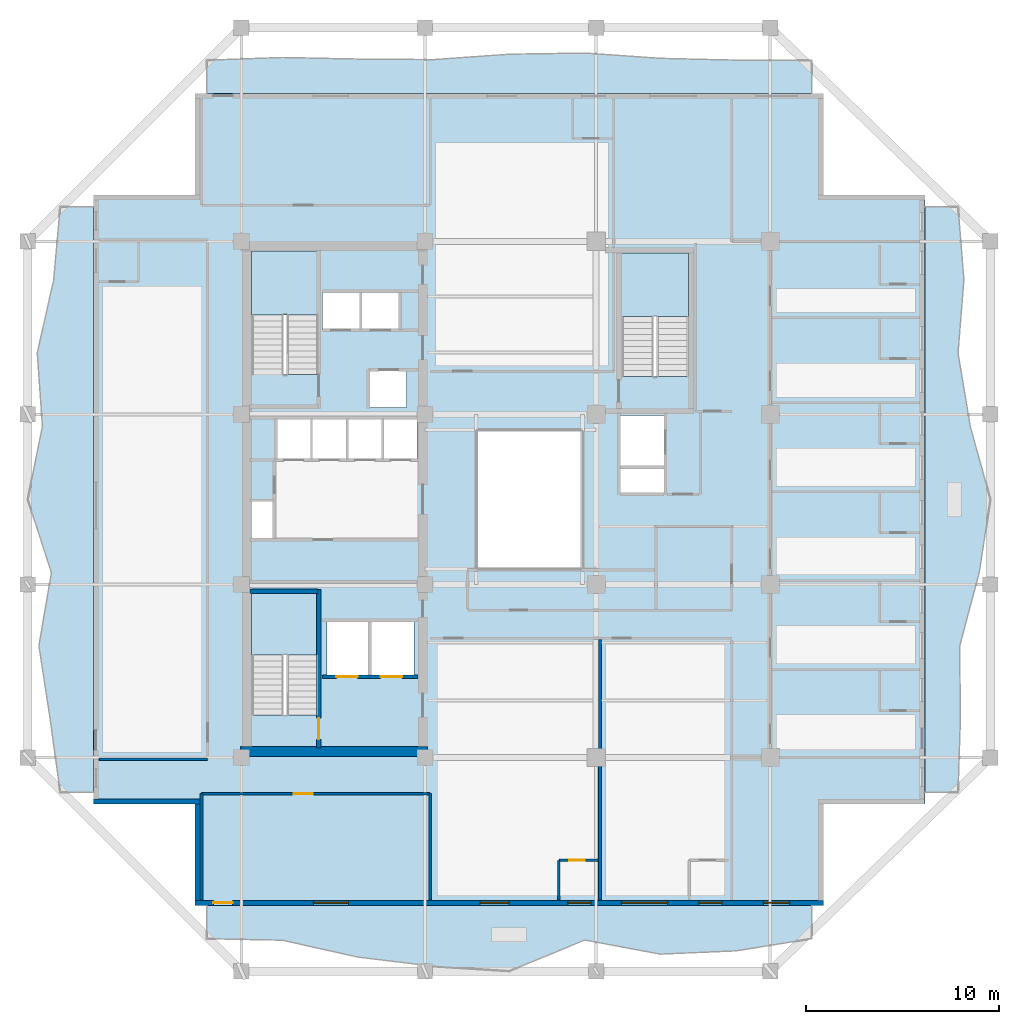
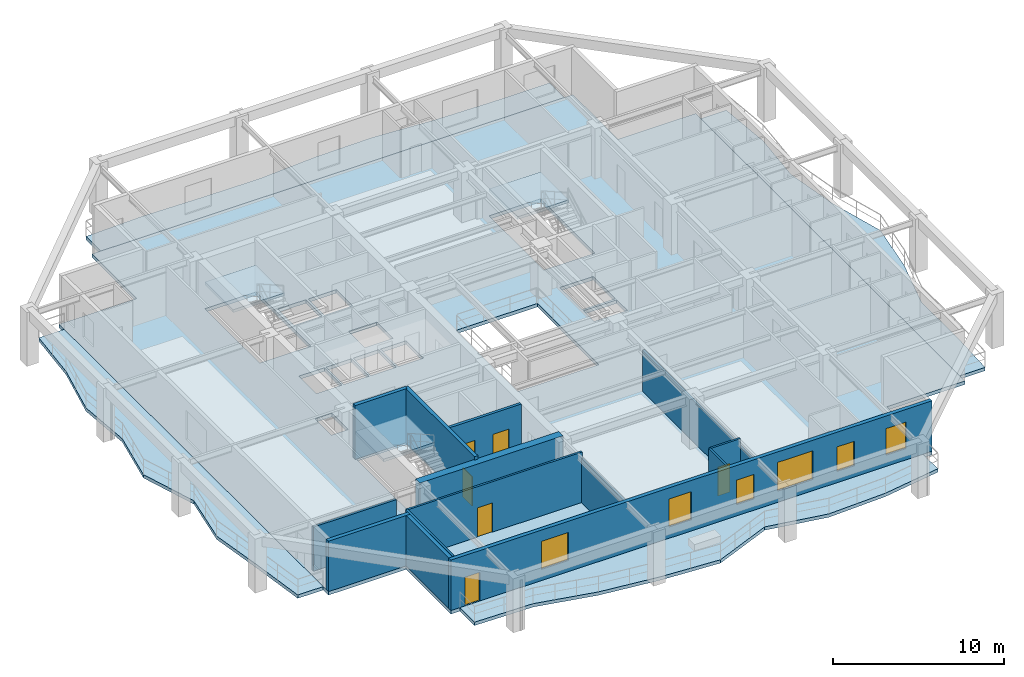
# One storey, part 2 of 13: 14 walls, 8 slabs, 6 doors, 6 windows, 12 openings, 3 elements without a shape of their own.
"""IFC4 building model written with IfcOpenShell, lengths in metres."""

from ifc_helpers import new_model, si_unit, direction, frame, frame_2d, origin, place, context, subcontext, project, spatial, polyline, rectangle, outline, extrude, material, layer, layer_set, type_object, element, fill, aggregate, save


model = new_model("IFC4")

# Units and contexts
model_context = context("Model", 3, precision=1e-05, world=origin(), true_north=direction((0.0, 1.0)))
body_context = subcontext(model_context, "Body", "Model", "MODEL_VIEW")
ifc_project = project(units=[si_unit("LENGTHUNIT", "METRE"), si_unit("AREAUNIT", "SQUARE_METRE"), si_unit("VOLUMEUNIT", "CUBIC_METRE"), si_unit("PLANEANGLEUNIT", "RADIAN"), si_unit("MASSUNIT", "GRAM", prefix="KILO")], contexts=[model_context])

# Site, building, storey
site_placement = place(None, origin())
site = spatial("IfcSite", under=ifc_project, at=site_placement, CompositionType="ELEMENT")
building_placement = place(site_placement, origin())
building = spatial("IfcBuilding", under=site, at=building_placement, Name="Kundavana Baori Tower", CompositionType="ELEMENT")
storey_placement = place(building_placement, frame((0.0, 0.0, 184.85009765625)))
storey = spatial("IfcBuildingStorey", under=building, at=storey_placement, Name="L45", CompositionType="ELEMENT", Elevation=184.85009765625)

# Slab
ifc_material_1 = material(Name="Concrete C40/50", Category="concrete")
ifc_layer_1 = layer(ifc_material_1, 0.25, Name="SLB-FLR-250")
ifc_layer_set_1 = layer_set([ifc_layer_1], Name="Concrete C40/50")
slab_type_1 = type_object("IfcSlabType", Name="SLB-FLR-250", PredefinedType="FLOOR", material=ifc_layer_set_1)
slab_1_placement = place(storey_placement, frame((0.0, 0.0, -0.25)))
element("IfcSlab", 1, at=slab_1_placement, inside=storey, type_object=slab_type_1, Name="L45 Structural Floor Slab", PredefinedType="FLOOR", context=body_context, shape_type="SweptSolid", body=[
    extrude(outline(polyline([(13.050048828125, 7.60009765625), (45.550048828125, 7.60009765625), (45.550048828125, 12.85009765625), (50.800048828125, 12.85009765625), (50.800048828125, 44.35009765625), (45.550048828125, 44.35009765625), (45.550048828125, 49.60009765625), (13.050048828125, 49.60009765625), (13.050048828125, 44.35009765625), (7.800048828125, 44.35009765625), (7.800048828125, 12.85009765625), (13.050048828125, 12.85009765625), (13.050048828125, 7.60009765625)]), holes=[polyline([(19.43994140625, 17.4619140625), (19.43994140625, 23.85009765625), (15.97998046875, 23.85009765625), (15.97998046875, 17.4619140625), (19.43994140625, 17.4619140625)]), polyline([(19.43994140625, 35.06201171875), (19.43994140625, 41.449951171875), (15.97998046875, 41.449951171875), (15.97998046875, 35.06201171875), (19.43994140625, 35.06201171875)]), polyline([(38.580078125, 34.9619140625), (38.580078125, 41.35009765625), (35.1201171875, 41.35009765625), (35.1201171875, 34.9619140625), (38.580078125, 34.9619140625)]), polyline([(17.300048828125, 30.699951171875), (19.02001953125, 30.699951171875), (19.02001953125, 32.75), (17.300048828125, 32.75), (17.300048828125, 30.699951171875)]), polyline([(19.139892578125, 30.699951171875), (20.860107421875, 30.699951171875), (20.860107421875, 32.75), (19.139892578125, 32.75), (19.139892578125, 30.699951171875)]), polyline([(20.97998046875, 30.699951171875), (22.699951171875, 30.699951171875), (22.699951171875, 32.75), (20.97998046875, 32.75), (20.97998046875, 30.699951171875)]), polyline([(22.820068359375, 30.699951171875), (24.5400390625, 30.699951171875), (24.5400390625, 32.75), (22.820068359375, 32.75), (22.820068359375, 30.699951171875)]), polyline([(19.64990234375, 37.39990234375), (21.550048828125, 37.39990234375), (21.550048828125, 39.300048828125), (19.64990234375, 39.300048828125), (19.64990234375, 37.39990234375)]), polyline([(21.699951171875, 37.39990234375), (23.60009765625, 37.39990234375), (23.60009765625, 39.300048828125), (21.699951171875, 39.300048828125), (21.699951171875, 37.39990234375)]), polyline([(22.10009765625, 33.35009765625), (24.0, 33.35009765625), (24.0, 35.25), (22.10009765625, 35.25), (22.10009765625, 33.35009765625)]), polyline([(19.8798828125, 19.5), (22.02001953125, 19.5), (22.02001953125, 22.25), (19.8798828125, 22.25), (19.8798828125, 19.5)]), polyline([(22.179931640625, 19.5), (24.3798828125, 19.5), (24.3798828125, 22.25), (22.179931640625, 22.25), (22.179931640625, 19.5)]), polyline([(35.050048828125, 30.35009765625), (37.300048828125, 30.35009765625), (37.300048828125, 32.949951171875), (35.050048828125, 32.949951171875), (35.050048828125, 30.35009765625)]), polyline([(15.949951171875, 26.60009765625), (17.080078125, 26.60009765625), (17.080078125, 28.5), (15.949951171875, 28.5), (15.949951171875, 26.60009765625)]), polyline([(35.050048828125, 28.949951171875), (37.300048828125, 28.949951171875), (37.300048828125, 30.199951171875), (35.050048828125, 30.199951171875), (35.050048828125, 28.949951171875)]), polyline([(27.60009765625, 25.0), (33.10009765625, 25.0), (33.10009765625, 32.199951171875), (27.60009765625, 32.199951171875), (27.60009765625, 25.0)])]), origin(), (0.0, 0.0, 1.0), 0.25),
])

# Stair, slab
ifc_material_2 = material(Name="Concrete C40/50", Category="concrete")
stair_type = type_object("IfcStairType", Name="STR-DOG-1650", PredefinedType="HALF_TURN_STAIR", material=ifc_material_2)
stair_1_placement = place(storey_placement, origin())
stair_1 = element("IfcStair", 2, at=stair_1_placement, inside=storey, type_object=stair_type, Name="L45 Protected Exit Stair ST1", PredefinedType="HALF_TURN_STAIR")
ifc_material_3 = material(Name="Concrete C40/50", Category="concrete")
ifc_layer_2 = layer(ifc_material_3, 0.199951171875, Name="SLB-LND-200")
ifc_layer_set_2 = layer_set([ifc_layer_2], Name="Concrete C40/50")
slab_type_2 = type_object("IfcSlabType", Name="SLB-LND-200", PredefinedType="LANDING", material=ifc_layer_set_2)
slab_2_placement = place(storey_placement, frame((0.0, 0.0, 1.724853515625)))
slab_2 = element("IfcSlab", 3, at=slab_2_placement, type_object=slab_type_2, Name="ST1 landing 1", PredefinedType="LANDING", context=body_context, shape_type="SweptSolid", body=[
    extrude(outline(polyline([(19.43994140625, 20.550048828125), (19.43994140625, 23.85009765625), (15.97998046875, 23.85009765625), (15.97998046875, 20.550048828125), (19.43994140625, 20.550048828125)])), origin(), (0.0, 0.0, 1.0), 0.199951171875),
])
aggregate(stair_1, [slab_2])

stair_2_placement = place(storey_placement, origin())
stair_2 = element("IfcStair", 4, at=stair_2_placement, inside=storey, type_object=stair_type, Name="L45 Protected Exit Stair ST2", PredefinedType="HALF_TURN_STAIR")
slab_3_placement = place(storey_placement, frame((0.0, 0.0, 1.724853515625)))
slab_3 = element("IfcSlab", 5, at=slab_3_placement, type_object=slab_type_2, Name="ST2 landing 1", PredefinedType="LANDING", context=body_context, shape_type="SweptSolid", body=[
    extrude(outline(polyline([(19.43994140625, 38.14990234375), (19.43994140625, 41.449951171875), (15.97998046875, 41.449951171875), (15.97998046875, 38.14990234375), (19.43994140625, 38.14990234375)])), origin(), (0.0, 0.0, 1.0), 0.199951171875),
])
aggregate(stair_2, [slab_3])

stair_3_placement = place(storey_placement, origin())
stair_3 = element("IfcStair", 6, at=stair_3_placement, inside=storey, type_object=stair_type, Name="L45 Protected Exit Stair ST3", PredefinedType="HALF_TURN_STAIR")
slab_4_placement = place(storey_placement, frame((0.0, 0.0, 1.724853515625)))
slab_4 = element("IfcSlab", 7, at=slab_4_placement, type_object=slab_type_2, Name="ST3 landing 1", PredefinedType="LANDING", context=body_context, shape_type="SweptSolid", body=[
    extrude(outline(polyline([(38.580078125, 38.050048828125), (38.580078125, 41.35009765625), (35.1201171875, 41.35009765625), (35.1201171875, 38.050048828125), (38.580078125, 38.050048828125)])), origin(), (0.0, 0.0, 1.0), 0.199951171875),
])
aggregate(stair_3, [slab_4])

# Slabs
ifc_material_4 = material(Name="Concrete C40/50", Category="concrete")
ifc_layer_3 = layer(ifc_material_4, 0.239990234375, Name="SLB-LOG-240")
ifc_layer_set_3 = layer_set([ifc_layer_3], Name="Concrete C40/50")
slab_type_3 = type_object("IfcSlabType", Name="SLB-LOG-240", PredefinedType="FLOOR", material=ifc_layer_set_3)
slab_5_placement = place(storey_placement, frame((0.0, 0.0, -0.239990234375)))
element("IfcSlab", 8, at=slab_5_placement, inside=storey, type_object=slab_type_3, Name="L45 Planted Loggia Balcony Slab S", PredefinedType="FLOOR", context=body_context, shape_type="SweptSolid", body=[
    extrude(outline(polyline([(13.64990234375, 7.60009765625), (44.949951171875, 7.60009765625), (44.949951171875, 5.8798828125), (41.0380859375, 5.25), (37.125, 5.080078125), (33.212890625, 5.81103515625), (29.300048828125, 4.199951171875), (25.387939453125, 4.450927734375), (21.47509765625, 4.929931640625), (17.56201171875, 5.802001953125), (13.64990234375, 5.8798828125), (13.64990234375, 7.60009765625)])), origin(), (0.0, 0.0, 1.0), 0.239990234375),
])
slab_6_placement = place(storey_placement, frame((0.0, 0.0, -0.239990234375)))
element("IfcSlab", 9, at=slab_6_placement, inside=storey, type_object=slab_type_3, Name="L45 Planted Loggia Balcony Slab E", PredefinedType="FLOOR", context=body_context, shape_type="SweptSolid", body=[
    extrude(outline(polyline([(50.800048828125, 13.449951171875), (50.800048828125, 43.75), (52.52001953125, 43.75), (52.824951171875, 39.9619140625), (52.52099609375, 36.175048828125), (53.152099609375, 32.387939453125), (54.199951171875, 28.60009765625), (53.616943359375, 24.81201171875), (52.60595703125, 21.02490234375), (52.64306640625, 17.238037109375), (52.52001953125, 13.449951171875), (50.800048828125, 13.449951171875)])), origin(), (0.0, 0.0, 1.0), 0.239990234375),
])
slab_7_placement = place(storey_placement, frame((0.0, 0.0, -0.239990234375)))
element("IfcSlab", 10, at=slab_7_placement, inside=storey, type_object=slab_type_3, Name="L45 Planted Loggia Balcony Slab N", PredefinedType="FLOOR", context=body_context, shape_type="SweptSolid", body=[
    extrude(outline(polyline([(44.949951171875, 49.60009765625), (13.64990234375, 49.60009765625), (13.64990234375, 51.320068359375), (17.56201171875, 51.4609375), (21.47509765625, 51.3798828125), (25.387939453125, 51.35107421875), (29.300048828125, 51.6298828125), (33.212890625, 51.69091796875), (37.125, 51.4169921875), (41.0380859375, 51.322998046875), (44.949951171875, 51.320068359375), (44.949951171875, 49.60009765625)])), origin(), (0.0, 0.0, 1.0), 0.239990234375),
])
slab_8_placement = place(storey_placement, frame((0.0, 0.0, -0.239990234375)))
element("IfcSlab", 11, at=slab_8_placement, inside=storey, type_object=slab_type_3, Name="L45 Planted Loggia Balcony Slab W", PredefinedType="FLOOR", context=body_context, shape_type="SweptSolid", body=[
    extrude(outline(polyline([(7.800048828125, 43.75), (7.800048828125, 13.449951171875), (6.080078125, 13.449951171875), (5.56005859375, 17.238037109375), (4.97802734375, 21.02490234375), (5.625, 24.81201171875), (4.39990234375, 28.60009765625), (5.159912109375, 32.387939453125), (4.89306640625, 36.175048828125), (5.741943359375, 39.9619140625), (6.080078125, 43.75), (7.800048828125, 43.75)])), origin(), (0.0, 0.0, 1.0), 0.239990234375),
])

# Wall, opening, door
ifc_material_5 = material(Name="Concrete C50/60", Category="concrete")
ifc_layer_4 = layer(ifc_material_5, 0.39990234375, Name="WL-CORE-400")
ifc_layer_set_4 = layer_set([ifc_layer_4], Name="Concrete C50/60")
wall_type_1 = type_object("IfcWallType", Name="WL-CORE-400", PredefinedType="SHEAR", material=ifc_layer_set_4)
wall_1_placement = place(storey_placement, frame((19.4599609375, 15.739990234375, 0.0), z_axis=(0.0, 0.0, 1.0), x_axis=(0.0, 1.0, 0.0)))
wall_1 = element("IfcWall", 12, at=wall_1_placement, inside=storey, type_object=wall_type_1, Name="WL-L45-ST1-E", PredefinedType="SHEAR", context=body_context, shape_type="SweptSolid", body=[
    extrude(rectangle(XDim=8.199951171875, YDim=0.239990234375, at=frame_2d((4.10009765625, 0.0))), origin(), (0.0, 0.0, 1.0), 3.849853515625),
])
opening_1_placement = place(wall_1_placement, frame((0.449951171875, 0.0, 0.0)))
opening_1 = element("IfcOpeningElement", 13, at=opening_1_placement, cuts=wall_1, Name="Opening FD-110", PredefinedType="OPENING", context=body_context, shape_type="SweptSolid", body=[
    extrude(rectangle(XDim=1.10009765625, YDim=2.10009765625, at=frame_2d((0.550048828125, 1.050048828125))), frame((0.0, 0.1298828125, 0.0), z_axis=(0.0, -1.0, 0.0), x_axis=(1.0, 0.0, 0.0)), (0.0, 0.0, 1.0), 0.260009765625),
])
ifc_material_6 = material(Name="Galvanised Steel Fire-Rated Door Leaf", Category="steel")
door_type_1 = type_object("IfcDoorType", Name="DR-FD120-1100", OperationType="NOTDEFINED", PredefinedType="DOOR", material=ifc_material_6)
door_1_placement = place(opening_1_placement, origin())
door_1 = element("IfcDoor", 14, at=door_1_placement, inside=storey, type_object=door_type_1, Name="DR-L45-ST1", OperationType="SINGLE_SWING_LEFT", OverallHeight=2.10009765625, OverallWidth=1.10009765625, PredefinedType="DOOR", context=body_context, shape_type="SweptSolid", body=[
    extrude(rectangle(XDim=1.10009765625, YDim=2.10009765625, at=frame_2d((0.550048828125, 1.050048828125))), frame((0.0, 0.02490234375, 0.0), z_axis=(0.0, -1.0, 0.0), x_axis=(1.0, 0.0, 0.0)), (0.0, 0.0, 1.0), 0.050048828125),
])
fill(opening_1, door_1)

# Walls
wall_2_placement = place(storey_placement, frame((15.89990234375, 23.860107421875, 0.0), z_axis=(0.0, 0.0, 1.0), x_axis=(1.0, 0.0, 0.0)))
element("IfcWall", 15, at=wall_2_placement, inside=storey, type_object=wall_type_1, Name="WL-L45-ST1-N", PredefinedType="SHEAR", context=body_context, shape_type="SweptSolid", body=[
    extrude(rectangle(XDim=3.52001953125, YDim=0.239990234375, at=frame_2d((1.760009765625, 0.0))), origin(), (0.0, 0.0, 1.0), 3.849853515625),
])
ifc_material_7 = material(Name="Concrete C50/60", Category="concrete")
ifc_layer_5 = layer(ifc_material_7, 0.5, Name="WL-CORE-500")
ifc_layer_set_5 = layer_set([ifc_layer_5], Name="Concrete C50/60")
wall_type_2 = type_object("IfcWallType", Name="WL-CORE-500", PredefinedType="SHEAR", material=ifc_layer_set_5)
wall_3_placement = place(storey_placement, frame((15.39990234375, 15.56005859375, 0.0), z_axis=(0.0, 0.0, 1.0), x_axis=(1.0, 0.0, 0.0)))
element("IfcWall", 16, at=wall_3_placement, inside=storey, type_object=wall_type_2, Name="L45 Offset Core South Shear Wall", PredefinedType="SHEAR", context=body_context, shape_type="SweptSolid", body=[
    extrude(rectangle(XDim=9.68017578125, YDim=0.5, at=frame_2d((4.840087890625, 0.0))), origin(), (0.0, 0.0, 1.0), 3.599853515625),
])

# Wall, openings, door, windows
ifc_material_8 = material(Name="Kiln-Fired Terracotta Brick-Slip Masonry on Concrete C40/50", Category="masonry")
ifc_layer_6 = layer(ifc_material_8, 0.260009765625, Name="WL-EXT-BRK-260")
ifc_layer_set_6 = layer_set([ifc_layer_6], Name="Kiln-Fired Terracotta Brick-Slip Masonry on Concrete C40/50")
wall_type_3 = type_object("IfcWallType", Name="WL-EXT-BRK-260", PredefinedType="SOLIDWALL", material=ifc_layer_set_6)
wall_4_placement = place(storey_placement, frame((13.050048828125, 7.72998046875, 0.0), z_axis=(0.0, 0.0, 1.0), x_axis=(1.0, 0.0, 0.0)))
wall_4 = element("IfcWall", 17, at=wall_4_placement, inside=storey, type_object=wall_type_3, Name="L45 Exterior Insulated Facade Wall 01", PredefinedType="SOLIDWALL", context=body_context, shape_type="SweptSolid", body=[
    extrude(rectangle(XDim=32.5, YDim=0.260009765625, at=frame_2d((16.25, 0.0))), origin(), (0.0, 0.0, 1.0), 3.599853515625),
])
opening_2_placement = place(wall_4_placement, frame((0.949951171875, 0.0, 0.0)))
opening_2 = element("IfcOpeningElement", 18, at=opening_2_placement, cuts=wall_4, Name="Opening BD-1", PredefinedType="OPENING", context=body_context, shape_type="SweptSolid", body=[
    extrude(rectangle(XDim=1.0, YDim=2.050048828125, at=frame_2d((0.5, 1.02490234375))), frame((0.0, 0.14013671875, 0.0), z_axis=(0.0, -1.0, 0.0), x_axis=(1.0, 0.0, 0.0)), (0.0, 0.0, 1.0), 0.280029296875),
])
opening_3_placement = place(wall_4_placement, frame((6.1298828125, 0.0, 0.800048828125)))
opening_3 = element("IfcOpeningElement", 19, at=opening_3_placement, cuts=wall_4, Name="Opening W-01", PredefinedType="OPENING", context=body_context, shape_type="SweptSolid", body=[
    extrude(rectangle(XDim=1.800048828125, YDim=2.0, at=frame_2d((0.89990234375, 1.0))), frame((0.0, 0.14013671875, 0.0), z_axis=(0.0, -1.0, 0.0), x_axis=(1.0, 0.0, 0.0)), (0.0, 0.0, 1.0), 0.280029296875),
])
opening_4_placement = place(wall_4_placement, frame((14.7451171875, 0.0, 0.800048828125)))
opening_4 = element("IfcOpeningElement", 20, at=opening_4_placement, cuts=wall_4, Name="Opening W-02", PredefinedType="OPENING", context=body_context, shape_type="SweptSolid", body=[
    extrude(rectangle(XDim=1.5, YDim=2.0, at=frame_2d((0.75, 1.0))), frame((0.0, 0.14013671875, 0.0), z_axis=(0.0, -1.0, 0.0), x_axis=(1.0, 0.0, 0.0)), (0.0, 0.0, 1.0), 0.280029296875),
])
opening_5_placement = place(wall_4_placement, frame((19.284912109375, 0.0, 0.800048828125)))
opening_5 = element("IfcOpeningElement", 21, at=opening_5_placement, cuts=wall_4, Name="Opening W-03", PredefinedType="OPENING", context=body_context, shape_type="SweptSolid", body=[
    extrude(rectangle(XDim=1.199951171875, YDim=1.75, at=frame_2d((0.60009765625, 0.875))), frame((0.0, 0.14013671875, 0.0), z_axis=(0.0, -1.0, 0.0), x_axis=(1.0, 0.0, 0.0)), (0.0, 0.0, 1.0), 0.280029296875),
])
opening_6_placement = place(wall_4_placement, frame((22.054931640625, 0.0, 0.800048828125)))
opening_6 = element("IfcOpeningElement", 22, at=opening_6_placement, cuts=wall_4, Name="Opening W-04", PredefinedType="OPENING", context=body_context, shape_type="SweptSolid", body=[
    extrude(rectangle(XDim=2.39990234375, YDim=2.050048828125, at=frame_2d((1.199951171875, 1.02490234375))), frame((0.0, 0.14013671875, 0.0), z_axis=(0.0, -1.0, 0.0), x_axis=(1.0, 0.0, 0.0)), (0.0, 0.0, 1.0), 0.280029296875),
])
opening_7_placement = place(wall_4_placement, frame((26.06494140625, 0.0, 0.800048828125)))
opening_7 = element("IfcOpeningElement", 23, at=opening_7_placement, cuts=wall_4, Name="Opening W-03", PredefinedType="OPENING", context=body_context, shape_type="SweptSolid", body=[
    extrude(rectangle(XDim=1.199951171875, YDim=1.75, at=frame_2d((0.60009765625, 0.875))), frame((0.0, 0.14013671875, 0.0), z_axis=(0.0, -1.0, 0.0), x_axis=(1.0, 0.0, 0.0)), (0.0, 0.0, 1.0), 0.280029296875),
])
opening_8_placement = place(wall_4_placement, frame((29.405029296875, 0.0, 0.800048828125)))
opening_8 = element("IfcOpeningElement", 24, at=opening_8_placement, cuts=wall_4, Name="Opening W-07", PredefinedType="OPENING", context=body_context, shape_type="SweptSolid", body=[
    extrude(rectangle(XDim=1.35009765625, YDim=1.89990234375, at=frame_2d((0.675048828125, 0.949951171875))), frame((0.0, 0.14013671875, 0.0), z_axis=(0.0, -1.0, 0.0), x_axis=(1.0, 0.0, 0.0)), (0.0, 0.0, 1.0), 0.280029296875),
])
ifc_material_9 = material(Name="Architectural Patinated Bronze Metalwork")
door_type_2 = type_object("IfcDoorType", Name="DR-EXT-LOG-1000", OperationType="NOTDEFINED", PredefinedType="DOOR", material=ifc_material_9)
door_2_placement = place(opening_2_placement, frame((1.0, 0.0, 0.0), z_axis=(0.0, 0.0, 1.0), x_axis=(-1.0, 0.0, 0.0)))
door_2 = element("IfcDoor", 25, at=door_2_placement, inside=storey, type_object=door_type_2, Name="L45 Loggia Balcony Access Door S", OperationType="SINGLE_SWING_LEFT", OverallHeight=2.050048828125, OverallWidth=1.0, PredefinedType="DOOR", context=body_context, shape_type="SweptSolid", body=[
    extrude(rectangle(XDim=1.0, YDim=2.050048828125, at=frame_2d((0.5, 1.02490234375))), frame((0.0, 0.02490234375, 0.0), z_axis=(0.0, -1.0, 0.0), x_axis=(1.0, 0.0, 0.0)), (0.0, 0.0, 1.0), 0.050048828125),
])
fill(opening_2, door_2)
ifc_material_10 = material(Name="Double-Glazed Solar-Control Low-E Insulated Glass", Category="glass")
window_type_1 = type_object("IfcWindowType", Name="WIN-LOG-1200x1750", PartitioningType="SINGLE_PANEL", PredefinedType="WINDOW", material=ifc_material_10)
window_1_placement = place(opening_5_placement, origin())
window_1 = element("IfcWindow", 26, at=window_1_placement, inside=storey, type_object=window_type_1, Name="L45 Recessed Loggia Window S-3", OverallHeight=1.75, OverallWidth=1.199951171875, PartitioningType="SINGLE_PANEL", PredefinedType="WINDOW", context=body_context, shape_type="SweptSolid", body=[
    extrude(rectangle(XDim=1.199951171875, YDim=1.75, at=frame_2d((0.60009765625, 0.875))), frame((0.0, 0.030029296875, 0.0), z_axis=(0.0, -1.0, 0.0), x_axis=(1.0, 0.0, 0.0)), (0.0, 0.0, 1.0), 0.06005859375),
])
fill(opening_5, window_1)
window_2_placement = place(opening_7_placement, origin())
window_2 = element("IfcWindow", 27, at=window_2_placement, inside=storey, type_object=window_type_1, Name="L45 Recessed Loggia Window S-5", OverallHeight=1.75, OverallWidth=1.199951171875, PartitioningType="SINGLE_PANEL", PredefinedType="WINDOW", context=body_context, shape_type="SweptSolid", body=[
    extrude(rectangle(XDim=1.199951171875, YDim=1.75, at=frame_2d((0.60009765625, 0.875))), frame((0.0, 0.030029296875, 0.0), z_axis=(0.0, -1.0, 0.0), x_axis=(1.0, 0.0, 0.0)), (0.0, 0.0, 1.0), 0.06005859375),
])
fill(opening_7, window_2)
ifc_material_11 = material(Name="Double-Glazed Solar-Control Low-E Insulated Glass", Category="glass")
window_type_2 = type_object("IfcWindowType", Name="WIN-LOG-1350x1900", PartitioningType="SINGLE_PANEL", PredefinedType="WINDOW", material=ifc_material_11)
window_3_placement = place(opening_8_placement, origin())
window_3 = element("IfcWindow", 28, at=window_3_placement, inside=storey, type_object=window_type_2, Name="L45 Recessed Loggia Window S-6", OverallHeight=1.89990234375, OverallWidth=1.35009765625, PartitioningType="SINGLE_PANEL", PredefinedType="WINDOW", context=body_context, shape_type="SweptSolid", body=[
    extrude(rectangle(XDim=1.35009765625, YDim=1.89990234375, at=frame_2d((0.675048828125, 0.949951171875))), frame((0.0, 0.030029296875, 0.0), z_axis=(0.0, -1.0, 0.0), x_axis=(1.0, 0.0, 0.0)), (0.0, 0.0, 1.0), 0.06005859375),
])
fill(opening_8, window_3)
ifc_material_12 = material(Name="Double-Glazed Solar-Control Low-E Insulated Glass", Category="glass")
window_type_3 = type_object("IfcWindowType", Name="WIN-LOG-1500x2000", PartitioningType="SINGLE_PANEL", PredefinedType="WINDOW", material=ifc_material_12)
window_4_placement = place(opening_4_placement, origin())
window_4 = element("IfcWindow", 29, at=window_4_placement, inside=storey, type_object=window_type_3, Name="L45 Recessed Loggia Window S-2", OverallHeight=2.0, OverallWidth=1.5, PartitioningType="SINGLE_PANEL", PredefinedType="WINDOW", context=body_context, shape_type="SweptSolid", body=[
    extrude(rectangle(XDim=1.5, YDim=2.0, at=frame_2d((0.75, 1.0))), frame((0.0, 0.030029296875, 0.0), z_axis=(0.0, -1.0, 0.0), x_axis=(1.0, 0.0, 0.0)), (0.0, 0.0, 1.0), 0.06005859375),
])
fill(opening_4, window_4)
ifc_material_13 = material(Name="Double-Glazed Solar-Control Low-E Insulated Glass", Category="glass")
window_type_4 = type_object("IfcWindowType", Name="WIN-LOG-1800x2000", PartitioningType="SINGLE_PANEL", PredefinedType="WINDOW", material=ifc_material_13)
window_5_placement = place(opening_3_placement, origin())
window_5 = element("IfcWindow", 30, at=window_5_placement, inside=storey, type_object=window_type_4, Name="L45 Recessed Loggia Window S-1", OverallHeight=2.0, OverallWidth=1.800048828125, PartitioningType="SINGLE_PANEL", PredefinedType="WINDOW", context=body_context, shape_type="SweptSolid", body=[
    extrude(rectangle(XDim=1.800048828125, YDim=2.0, at=frame_2d((0.89990234375, 1.0))), frame((0.0, 0.030029296875, 0.0), z_axis=(0.0, -1.0, 0.0), x_axis=(1.0, 0.0, 0.0)), (0.0, 0.0, 1.0), 0.06005859375),
])
fill(opening_3, window_5)
ifc_material_14 = material(Name="Double-Glazed Solar-Control Low-E Insulated Glass", Category="glass")
window_type_5 = type_object("IfcWindowType", Name="WIN-LOG-2400x2050", PartitioningType="SINGLE_PANEL", PredefinedType="WINDOW", material=ifc_material_14)
window_6_placement = place(opening_6_placement, origin())
window_6 = element("IfcWindow", 31, at=window_6_placement, inside=storey, type_object=window_type_5, Name="L45 Recessed Loggia Window S-4", OverallHeight=2.050048828125, OverallWidth=2.39990234375, PartitioningType="SINGLE_PANEL", PredefinedType="WINDOW", context=body_context, shape_type="SweptSolid", body=[
    extrude(rectangle(XDim=2.39990234375, YDim=2.050048828125, at=frame_2d((1.199951171875, 1.02490234375))), frame((0.0, 0.030029296875, 0.0), z_axis=(0.0, -1.0, 0.0), x_axis=(1.0, 0.0, 0.0)), (0.0, 0.0, 1.0), 0.06005859375),
])
fill(opening_6, window_6)

# Walls
wall_5_placement = place(storey_placement, frame((7.800048828125, 12.97998046875, 0.0), z_axis=(0.0, 0.0, 1.0), x_axis=(1.0, 0.0, 0.0)))
element("IfcWall", 32, at=wall_5_placement, inside=storey, type_object=wall_type_3, Name="L45 Exterior Insulated Facade Wall 11", PredefinedType="SOLIDWALL", context=body_context, shape_type="SweptSolid", body=[
    extrude(rectangle(XDim=5.510009765625, YDim=0.260009765625, at=frame_2d((2.7548828125, 0.0))), origin(), (0.0, 0.0, 1.0), 3.599853515625),
])
wall_6_placement = place(storey_placement, frame((13.179931640625, 12.85009765625, 0.0), z_axis=(0.0, 0.0, 1.0), x_axis=(0.0, -1.0, 0.0)))
element("IfcWall", 33, at=wall_6_placement, inside=storey, type_object=wall_type_3, Name="L45 Exterior Insulated Facade Wall 12", PredefinedType="SOLIDWALL", context=body_context, shape_type="SweptSolid", body=[
    extrude(rectangle(XDim=4.989990234375, YDim=0.260009765625, at=frame_2d((2.4951171875, 0.0))), origin(), (0.0, 0.0, 1.0), 3.599853515625),
])
ifc_material_15 = material(Name="Acoustic Gypsum Plasterboard on Galvanised Steel Studs", Category="steel")
ifc_layer_7 = layer(ifc_material_15, 0.135009765625, Name="WL-PART-135")
ifc_layer_set_7 = layer_set([ifc_layer_7], Name="Acoustic Gypsum Plasterboard on Galvanised Steel Studs")
wall_type_4 = type_object("IfcWallType", Name="WL-PART-135", PredefinedType="PARTITIONING", material=ifc_layer_set_7)
wall_7_placement = place(storey_placement, frame((8.080078125, 15.159912109375, 0.0), z_axis=(0.0, 0.0, 1.0), x_axis=(1.0, 0.0, 0.0)))
element("IfcWall", 34, at=wall_7_placement, inside=storey, type_object=wall_type_4, Name="WL-L45-HWS", PredefinedType="PARTITIONING", context=body_context, shape_type="SweptSolid", body=[
    extrude(rectangle(XDim=5.619873046875, YDim=0.135009765625, at=frame_2d((2.81005859375, 0.0))), origin(), (0.0, 0.0, 1.0), 3.14990234375),
])

# Wall, opening, door
wall_8_placement = place(storey_placement, frame((13.389892578125, 13.3798828125, 0.0), z_axis=(0.0, 0.0, 1.0), x_axis=(1.0, 0.0, 0.0)))
wall_8 = element("IfcWall", 35, at=wall_8_placement, inside=storey, type_object=wall_type_4, Name="WL-L45-HSC", PredefinedType="PARTITIONING", context=body_context, shape_type="SweptSolid", body=[
    extrude(rectangle(XDim=11.830078125, YDim=0.135009765625, at=frame_2d((5.9150390625, 0.0))), origin(), (0.0, 0.0, 1.0), 3.599853515625),
])
opening_9_placement = place(wall_8_placement, frame((4.760009765625, 0.0, 0.0)))
opening_9 = element("IfcOpeningElement", 36, at=opening_9_placement, cuts=wall_8, Name="Opening ID-100", PredefinedType="OPENING", context=body_context, shape_type="SweptSolid", body=[
    extrude(rectangle(XDim=1.0, YDim=2.080078125, at=frame_2d((0.5, 1.0400390625))), frame((0.0, 0.07763671875, 0.0), z_axis=(0.0, -1.0, 0.0), x_axis=(1.0, 0.0, 0.0)), (0.0, 0.0, 1.0), 0.155029296875),
])
ifc_material_16 = material(Name="Engineered Teak Solid-Core Timber Veneer", Category="wood")
door_type_3 = type_object("IfcDoorType", Name="DR-INT-1000", OperationType="NOTDEFINED", PredefinedType="DOOR", material=ifc_material_16)
door_3_placement = place(opening_9_placement, frame((1.0, 0.0, 0.0), z_axis=(0.0, 0.0, 1.0), x_axis=(-1.0, 0.0, 0.0)))
door_3 = element("IfcDoor", 37, at=door_3_placement, inside=storey, type_object=door_type_3, Name="DR-L45-HMSW", OperationType="SINGLE_SWING_LEFT", OverallHeight=2.080078125, OverallWidth=1.0, PredefinedType="DOOR", context=body_context, shape_type="SweptSolid", body=[
    extrude(rectangle(XDim=1.0, YDim=2.080078125, at=frame_2d((0.5, 1.0400390625))), frame((0.0, 0.02490234375, 0.0), z_axis=(0.0, -1.0, 0.0), x_axis=(1.0, 0.0, 0.0)), (0.0, 0.0, 1.0), 0.050048828125),
])
fill(opening_9, door_3)

# Walls
wall_9_placement = place(storey_placement, frame((13.389892578125, 7.8798828125, 0.0), z_axis=(0.0, 0.0, 1.0), x_axis=(0.0, 1.0, 0.0)))
element("IfcWall", 38, at=wall_9_placement, inside=storey, type_object=wall_type_4, Name="WL-L45-HSCW", PredefinedType="PARTITIONING", context=body_context, shape_type="SweptSolid", body=[
    extrude(rectangle(XDim=5.5, YDim=0.135009765625, at=frame_2d((2.75, 0.0))), origin(), (0.0, 0.0, 1.0), 3.599853515625),
])
wall_10_placement = place(storey_placement, frame((25.219970703125, 7.8798828125, 0.0), z_axis=(0.0, 0.0, 1.0), x_axis=(0.0, 1.0, 0.0)))
element("IfcWall", 39, at=wall_10_placement, inside=storey, type_object=wall_type_4, Name="WL-L45-HSCE", PredefinedType="PARTITIONING", context=body_context, shape_type="SweptSolid", body=[
    extrude(rectangle(XDim=5.5, YDim=0.135009765625, at=frame_2d((2.75, 0.0))), origin(), (0.0, 0.0, 1.0), 3.14990234375),
])
wall_11_placement = place(storey_placement, frame((34.0, 7.8798828125, 0.0), z_axis=(0.0, 0.0, 1.0), x_axis=(0.0, 1.0, 0.0)))
element("IfcWall", 40, at=wall_11_placement, inside=storey, type_object=wall_type_4, Name="WL-L45-HSD1", PredefinedType="PARTITIONING", context=body_context, shape_type="SweptSolid", body=[
    extrude(rectangle(XDim=13.480224609375, YDim=0.135009765625, at=frame_2d((6.740234375, 0.0))), origin(), (0.0, 0.0, 1.0), 2.949951171875),
])

# Wall, openings, doors
ifc_material_17 = material(Name="Autoclaved Aerated Concrete Blockwork Masonry", Category="masonry")
ifc_layer_8 = layer(ifc_material_17, 0.179931640625, Name="WL-SHAFT-180")
ifc_layer_set_8 = layer_set([ifc_layer_8], Name="Autoclaved Aerated Concrete Blockwork Masonry")
wall_type_5 = type_object("IfcWallType", Name="WL-SHAFT-180", PredefinedType="SOLIDWALL", material=ifc_layer_set_8)
wall_12_placement = place(storey_placement, frame((19.639892578125, 19.419921875, 0.0), z_axis=(0.0, 0.0, 1.0), x_axis=(1.0, 0.0, 0.0)))
wall_12 = element("IfcWall", 41, at=wall_12_placement, inside=storey, type_object=wall_type_5, Name="WL-L45-FFL-S", PredefinedType="SOLIDWALL", context=body_context, shape_type="SweptSolid", body=[
    extrude(rectangle(XDim=4.940185546875, YDim=0.179931640625, at=frame_2d((2.47021484375, 0.0))), origin(), (0.0, 0.0, 1.0), 3.599853515625),
])
opening_10_placement = place(wall_12_placement, frame((0.719970703125, 0.0, 0.0)))
opening_10 = element("IfcOpeningElement", 42, at=opening_10_placement, cuts=wall_12, Name="Opening LD-110", PredefinedType="OPENING", context=body_context, shape_type="SweptSolid", body=[
    extrude(rectangle(XDim=1.10009765625, YDim=2.10009765625, at=frame_2d((0.550048828125, 1.050048828125))), frame((0.0, 0.10009765625, 0.0), z_axis=(0.0, -1.0, 0.0), x_axis=(1.0, 0.0, 0.0)), (0.0, 0.0, 1.0), 0.199951171875),
])
opening_11_placement = place(wall_12_placement, frame((3.02001953125, 0.0, 0.0)))
opening_11 = element("IfcOpeningElement", 43, at=opening_11_placement, cuts=wall_12, Name="Opening LD-110", PredefinedType="OPENING", context=body_context, shape_type="SweptSolid", body=[
    extrude(rectangle(XDim=1.10009765625, YDim=2.10009765625, at=frame_2d((0.550048828125, 1.050048828125))), frame((0.0, 0.10009765625, 0.0), z_axis=(0.0, -1.0, 0.0), x_axis=(1.0, 0.0, 0.0)), (0.0, 0.0, 1.0), 0.199951171875),
])
ifc_material_18 = material(Name="Galvanised Steel Fire-Rated Door Leaf", Category="steel")
door_type_4 = type_object("IfcDoorType", Name="DR-SLIDE-LD1100", OperationType="NOTDEFINED", PredefinedType="DOOR", material=ifc_material_18)
door_4_placement = place(opening_10_placement, origin())
door_4 = element("IfcDoor", 44, at=door_4_placement, inside=storey, type_object=door_type_4, Name="DR-L45-LD-FFL-1", OperationType="DOUBLE_DOOR_SLIDING", OverallHeight=2.10009765625, OverallWidth=1.10009765625, PredefinedType="DOOR", context=body_context, shape_type="SweptSolid", body=[
    extrude(rectangle(XDim=1.10009765625, YDim=2.10009765625, at=frame_2d((0.550048828125, 1.050048828125))), frame((0.0, 0.02490234375, 0.0), z_axis=(0.0, -1.0, 0.0), x_axis=(1.0, 0.0, 0.0)), (0.0, 0.0, 1.0), 0.050048828125),
])
fill(opening_10, door_4)
door_5_placement = place(opening_11_placement, origin())
door_5 = element("IfcDoor", 45, at=door_5_placement, inside=storey, type_object=door_type_4, Name="DR-L45-LD-FFL-2", OperationType="DOUBLE_DOOR_SLIDING", OverallHeight=2.10009765625, OverallWidth=1.10009765625, PredefinedType="DOOR", context=body_context, shape_type="SweptSolid", body=[
    extrude(rectangle(XDim=1.10009765625, YDim=2.10009765625, at=frame_2d((0.550048828125, 1.050048828125))), frame((0.0, 0.02490234375, 0.0), z_axis=(0.0, -1.0, 0.0), x_axis=(1.0, 0.0, 0.0)), (0.0, 0.0, 1.0), 0.050048828125),
])
fill(opening_11, door_5)

# Wall
ifc_material_19 = material(Name="Autoclaved Aerated Concrete Blockwork Masonry", Category="masonry")
ifc_layer_9 = layer(ifc_material_19, 0.125, Name="WL-WET-120")
ifc_layer_set_9 = layer_set([ifc_layer_9], Name="Autoclaved Aerated Concrete Blockwork Masonry")
wall_type_6 = type_object("IfcWallType", Name="WL-WET-120", PredefinedType="PLUMBINGWALL", material=ifc_layer_set_9)
wall_13_placement = place(storey_placement, frame((31.8701171875, 7.8798828125, 0.0), z_axis=(0.0, 0.0, 1.0), x_axis=(0.0, 1.0, 0.0)))
element("IfcWall", 46, at=wall_13_placement, inside=storey, type_object=wall_type_6, Name="WL-L45-HK-S1-BW", PredefinedType="PLUMBINGWALL", context=body_context, shape_type="SweptSolid", body=[
    extrude(rectangle(XDim=2.050048828125, YDim=0.125, at=frame_2d((1.02490234375, 0.0))), origin(), (0.0, 0.0, 1.0), 3.599853515625),
])

# Wall, opening, door
wall_14_placement = place(storey_placement, frame((31.8701171875, 9.929931640625, 0.0), z_axis=(0.0, 0.0, 1.0), x_axis=(1.0, 0.0, 0.0)))
wall_14 = element("IfcWall", 47, at=wall_14_placement, inside=storey, type_object=wall_type_6, Name="WL-L45-HK-S1-BN", PredefinedType="PLUMBINGWALL", context=body_context, shape_type="SweptSolid", body=[
    extrude(rectangle(XDim=2.0498046875, YDim=0.125, at=frame_2d((1.02490234375, 0.0))), origin(), (0.0, 0.0, 1.0), 3.599853515625),
])
opening_12_placement = place(wall_14_placement, frame((0.550048828125, 0.0, 0.0)))
opening_12 = element("IfcOpeningElement", 48, at=opening_12_placement, cuts=wall_14, Name="Opening WD-080", PredefinedType="OPENING", context=body_context, shape_type="SweptSolid", body=[
    extrude(rectangle(XDim=0.800048828125, YDim=2.050048828125, at=frame_2d((0.39990234375, 1.02490234375))), frame((0.0, 0.072509765625, 0.0), z_axis=(0.0, -1.0, 0.0), x_axis=(1.0, 0.0, 0.0)), (0.0, 0.0, 1.0), 0.14501953125),
])
ifc_material_20 = material(Name="Engineered Teak Solid-Core Timber Veneer", Category="wood")
door_type_5 = type_object("IfcDoorType", Name="DR-WET-800", OperationType="NOTDEFINED", PredefinedType="DOOR", material=ifc_material_20)
door_6_placement = place(opening_12_placement, origin())
door_6 = element("IfcDoor", 49, at=door_6_placement, inside=storey, type_object=door_type_5, Name="DR-L45-HK-S1-ENS", OperationType="SINGLE_SWING_LEFT", OverallHeight=2.050048828125, OverallWidth=0.800048828125, PredefinedType="DOOR", context=body_context, shape_type="SweptSolid", body=[
    extrude(rectangle(XDim=0.800048828125, YDim=2.050048828125, at=frame_2d((0.39990234375, 1.02490234375))), frame((0.0, 0.02490234375, 0.0), z_axis=(0.0, -1.0, 0.0), x_axis=(1.0, 0.0, 0.0)), (0.0, 0.0, 1.0), 0.050048828125),
])
fill(opening_12, door_6)

save(model, "model.ifc")
